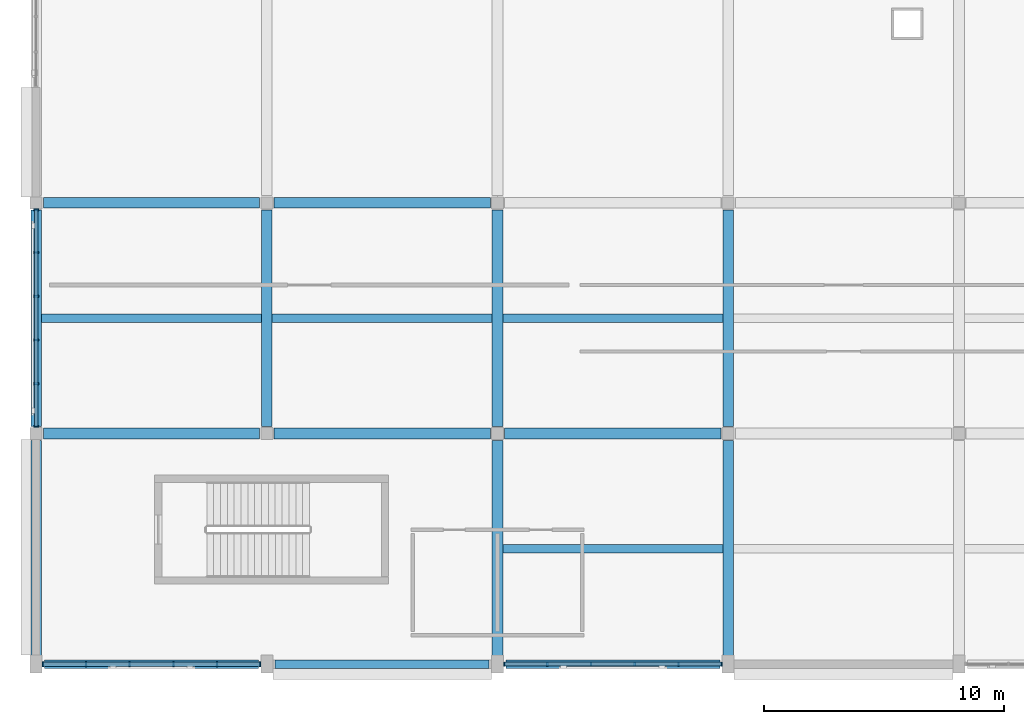
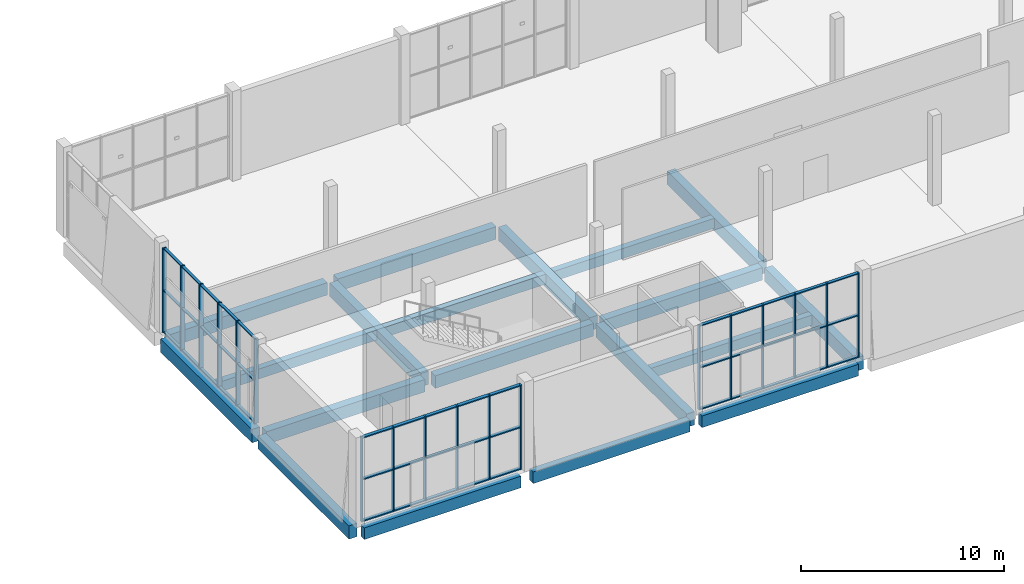
# One storey, part 7 of 83: 27 members, 19 beams, 3 elements without a shape of their own.
"""IFC4 building model written with IfcOpenShell, lengths in metres."""

from ifc_helpers import new_model, si_unit, direction, frame, origin, origin_2d, place, context, subcontext, project, spatial, rectangle, extrude, material, material_profile, profile_set, type_object, element, aggregate, save


model = new_model("IFC4")

# Units and contexts
model_context = context("Model", 3, precision=1e-05, world=origin(), true_north=direction((0.0, 1.0)))
body_context = subcontext(model_context, "Body", "Model", "MODEL_VIEW")
ifc_project = project(units=[si_unit("LENGTHUNIT", "METRE"), si_unit("AREAUNIT", "SQUARE_METRE"), si_unit("VOLUMEUNIT", "CUBIC_METRE"), si_unit("PLANEANGLEUNIT", "RADIAN"), si_unit("MASSUNIT", "GRAM", prefix="KILO")], contexts=[model_context])

# Site, building, storey
site_placement = place(None, origin())
site = spatial("IfcSite", under=ifc_project, at=site_placement, CompositionType="ELEMENT")
building_placement = place(site_placement, origin())
building = spatial("IfcBuilding", under=site, at=building_placement, Name="Shalvenor Court Art Gallery", CompositionType="ELEMENT")
storey_placement = place(building_placement, frame((0.0, 0.0, 6.0)))
storey = spatial("IfcBuildingStorey", under=building, at=storey_placement, Name="L01", CompositionType="ELEMENT", Elevation=6.0)

# Beams
ifc_material_1 = material(Name="Concrete C40/50", Category="concrete")
ifc_material_profile_1 = material_profile(ifc_material_1, rectangle(XDim=0.449951171875, YDim=0.800048828125, at=origin_2d()), Name="RC 450x800")
ifc_profile_set_1 = profile_set([ifc_material_profile_1], Name="Concrete C40/50")
beam_type_1 = type_object("IfcBeamType", Name="B-03", PredefinedType="BEAM", material=ifc_profile_set_1)
beam_1_placement = place(storey_placement, frame((0.0, 0.35009765625, -0.719970703125), z_axis=(0.0, 1.0, 0.0), x_axis=(-1.0, 0.0, 0.0)))
element("IfcBeam", 1, at=beam_1_placement, inside=storey, type_object=beam_type_1, Name="L01 Girder BM-L01-B-03-0357", PredefinedType="BEAM", context=body_context, shape_type="SweptSolid", body=[
    extrude(rectangle(XDim=0.449951171875, YDim=0.800048828125, at=origin_2d()), origin(), (0.0, 0.0, 1.0), 8.949951171875),
])
for number, where, z_axis, x_axis, name in (
    (2, (0.0, 9.89990234375, -0.719970703125), (0.0, 1.0, 0.0), (-1.0, 0.0, 0.0), "L01 Girder BM-L01-B-03-0358"),
    (3, (9.60009765625, 9.89990234375, -0.719970703125), (0.0, 1.0, 0.0), (-1.0, 0.0, 0.0), "L01 Girder BM-L01-B-03-0366"),
):
    element("IfcBeam", number, at=place(storey_placement, frame(where, z_axis=z_axis, x_axis=x_axis)), inside=storey, type_object=beam_type_1, Name=name, PredefinedType="BEAM", context=body_context, shape_type="SweptSolid", body=[
        extrude(rectangle(XDim=0.449951171875, YDim=0.800048828125, at=origin_2d()), origin(), (0.0, 0.0, 1.0), 9.0),
    ])
beam_2_placement = place(storey_placement, frame((19.199951171875, 0.35009765625, -0.719970703125), z_axis=(0.0, 1.0, 0.0), x_axis=(-1.0, 0.0, 0.0)))
element("IfcBeam", 4, at=beam_2_placement, inside=storey, type_object=beam_type_1, Name="L01 Girder BM-L01-B-03-0374", PredefinedType="BEAM", context=body_context, shape_type="SweptSolid", body=[
    extrude(rectangle(XDim=0.449951171875, YDim=0.800048828125, at=origin_2d()), origin(), (0.0, 0.0, 1.0), 8.949951171875),
])
beam_3_placement = place(storey_placement, frame((19.199951171875, 9.89990234375, -0.719970703125), z_axis=(0.0, 1.0, 0.0), x_axis=(-1.0, 0.0, 0.0)))
element("IfcBeam", 5, at=beam_3_placement, inside=storey, type_object=beam_type_1, Name="L01 Girder BM-L01-B-03-0375", PredefinedType="BEAM", context=body_context, shape_type="SweptSolid", body=[
    extrude(rectangle(XDim=0.449951171875, YDim=0.800048828125, at=origin_2d()), origin(), (0.0, 0.0, 1.0), 9.0),
])
beam_4_placement = place(storey_placement, frame((28.800048828125, 0.35009765625, -0.719970703125), z_axis=(0.0, 1.0, 0.0), x_axis=(-1.0, 0.0, 0.0)))
element("IfcBeam", 6, at=beam_4_placement, inside=storey, type_object=beam_type_1, Name="L01 Girder BM-L01-B-03-0379", PredefinedType="BEAM", context=body_context, shape_type="SweptSolid", body=[
    extrude(rectangle(XDim=0.449951171875, YDim=0.800048828125, at=origin_2d()), origin(), (0.0, 0.0, 1.0), 8.949951171875),
])
beam_5_placement = place(storey_placement, frame((28.800048828125, 9.89990234375, -0.719970703125), z_axis=(0.0, 1.0, 0.0), x_axis=(-1.0, 0.0, 0.0)))
element("IfcBeam", 7, at=beam_5_placement, inside=storey, type_object=beam_type_1, Name="L01 Girder BM-L01-B-03-0380", PredefinedType="BEAM", context=body_context, shape_type="SweptSolid", body=[
    extrude(rectangle(XDim=0.449951171875, YDim=0.800048828125, at=origin_2d()), origin(), (0.0, 0.0, 1.0), 9.0),
])
ifc_material_2 = material(Name="Concrete C40/50", Category="concrete")
ifc_material_profile_2 = material_profile(ifc_material_2, rectangle(XDim=0.449951171875, YDim=0.75, at=origin_2d()), Name="RC 450x750")
ifc_profile_set_2 = profile_set([ifc_material_profile_2], Name="Concrete C40/50")
beam_type_2 = type_object("IfcBeamType", Name="B-04", PredefinedType="BEAM", material=ifc_profile_set_2)
for number, where, z_axis, x_axis, name in (
    (8, (0.300048828125, 9.60009765625, -0.695068359375), (1.0, 0.0, 0.0), (0.0, 1.0, 0.0), "L01 Girder BM-L01-B-04-0497"),
    (9, (9.89990234375, 9.60009765625, -0.695068359375), (1.0, 0.0, 0.0), (0.0, 1.0, 0.0), "L01 Girder BM-L01-B-04-0498"),
    (10, (19.5, 9.60009765625, -0.695068359375), (1.0, 0.0, 0.0), (0.0, 1.0, 0.0), "L01 Girder BM-L01-B-04-0499"),
    (11, (0.300048828125, 19.199951171875, -0.695068359375), (1.0, 0.0, 0.0), (0.0, 1.0, 0.0), "L01 Girder BM-L01-B-04-0505"),
    (12, (9.89990234375, 19.199951171875, -0.695068359375), (1.0, 0.0, 0.0), (0.0, 1.0, 0.0), "L01 Girder BM-L01-B-04-0506"),
):
    element("IfcBeam", number, at=place(storey_placement, frame(where, z_axis=z_axis, x_axis=x_axis)), inside=storey, type_object=beam_type_2, Name=name, PredefinedType="BEAM", context=body_context, shape_type="SweptSolid", body=[
        extrude(rectangle(XDim=0.449951171875, YDim=0.75, at=origin_2d()), origin(), (0.0, 0.0, 1.0), 9.0),
    ])

# Curtain wall, members
ifc_material_3 = material(Name="Anodised aluminium and low-iron glass curtain wall", Category="aluminium")
curtain_wall_type_1 = type_object("IfcCurtainWallType", Name="CW-5x2-91-51-121", PredefinedType="USERDEFINED", material=ifc_material_3)
curtain_wall_1_placement = place(storey_placement, origin())
curtain_wall_1 = element("IfcCurtainWall", 13, at=curtain_wall_1_placement, inside=storey, type_object=curtain_wall_type_1, Name="L01 V4 Curtain Wall CW-L01-136", ObjectType="CURTAIN WALL", PredefinedType="USERDEFINED")
ifc_material_4 = material(Name="Anodised aluminium mullion", Category="aluminium")
ifc_material_profile_3 = material_profile(ifc_material_4, rectangle(XDim=0.06494140625, YDim=0.179931640625, at=origin_2d()), Name="CWM-01")
ifc_profile_set_3 = profile_set([ifc_material_profile_3], Name="Anodised aluminium mullion")
member_type_1 = type_object("IfcMemberType", Name="CWM-01", PredefinedType="MULLION", material=ifc_profile_set_3)
member_1_placement = place(storey_placement, frame((28.517578125, 0.0, 0.0), z_axis=(0.0, 0.0, 1.0), x_axis=(-1.0, 0.0, 0.0)))
member_1 = element("IfcMember", 14, at=member_1_placement, type_object=member_type_1, Name="CW-5x2-91-51-121 mullion 1", PredefinedType="MULLION", context=body_context, shape_type="SweptSolid", body=[
    extrude(rectangle(XDim=0.06494140625, YDim=0.179931640625, at=origin_2d()), origin(), (0.0, 0.0, 1.0), 5.080078125),
])
member_2_placement = place(storey_placement, frame((26.72998046875, 0.0, 0.0), z_axis=(0.0, 0.0, 1.0), x_axis=(-1.0, 0.0, 0.0)))
member_2 = element("IfcMember", 15, at=member_2_placement, type_object=member_type_1, Name="CW-5x2-91-51-121 mullion 2", PredefinedType="MULLION", context=body_context, shape_type="SweptSolid", body=[
    extrude(rectangle(XDim=0.06494140625, YDim=0.179931640625, at=origin_2d()), origin(), (0.0, 0.0, 1.0), 5.080078125),
])
member_3_placement = place(storey_placement, frame((24.909912109375, 0.0, 0.0), z_axis=(0.0, 0.0, 1.0), x_axis=(-1.0, 0.0, 0.0)))
member_3 = element("IfcMember", 16, at=member_3_placement, type_object=member_type_1, Name="CW-5x2-91-51-121 mullion 3", PredefinedType="MULLION", context=body_context, shape_type="SweptSolid", body=[
    extrude(rectangle(XDim=0.06494140625, YDim=0.179931640625, at=origin_2d()), origin(), (0.0, 0.0, 1.0), 5.080078125),
])
member_4_placement = place(storey_placement, frame((23.090087890625, 0.0, 0.0), z_axis=(0.0, 0.0, 1.0), x_axis=(-1.0, 0.0, 0.0)))
member_4 = element("IfcMember", 17, at=member_4_placement, type_object=member_type_1, Name="CW-5x2-91-51-121 mullion 4", PredefinedType="MULLION", context=body_context, shape_type="SweptSolid", body=[
    extrude(rectangle(XDim=0.06494140625, YDim=0.179931640625, at=origin_2d()), origin(), (0.0, 0.0, 1.0), 5.080078125),
])
member_5_placement = place(storey_placement, frame((21.27001953125, 0.0, 0.0), z_axis=(0.0, 0.0, 1.0), x_axis=(-1.0, 0.0, 0.0)))
member_5 = element("IfcMember", 18, at=member_5_placement, type_object=member_type_1, Name="CW-5x2-91-51-121 mullion 5", PredefinedType="MULLION", context=body_context, shape_type="SweptSolid", body=[
    extrude(rectangle(XDim=0.06494140625, YDim=0.179931640625, at=origin_2d()), origin(), (0.0, 0.0, 1.0), 5.080078125),
])
member_6_placement = place(storey_placement, frame((19.482421875, 0.0, 0.0), z_axis=(0.0, 0.0, 1.0), x_axis=(-1.0, 0.0, 0.0)))
member_6 = element("IfcMember", 19, at=member_6_placement, type_object=member_type_1, Name="CW-5x2-91-51-121 mullion 6", PredefinedType="MULLION", context=body_context, shape_type="SweptSolid", body=[
    extrude(rectangle(XDim=0.06494140625, YDim=0.179931640625, at=origin_2d()), origin(), (0.0, 0.0, 1.0), 5.080078125),
])

ifc_material_5 = material(Name="Anodised aluminium and low-iron glass curtain wall", Category="aluminium")
curtain_wall_type_2 = type_object("IfcCurtainWallType", Name="CW-5x2-91-51-241", PredefinedType="USERDEFINED", material=ifc_material_5)
curtain_wall_2_placement = place(storey_placement, origin())
curtain_wall_2 = element("IfcCurtainWall", 20, at=curtain_wall_2_placement, inside=storey, type_object=curtain_wall_type_2, Name="L01 V4 Curtain Wall CW-L01-137", ObjectType="CURTAIN WALL", PredefinedType="USERDEFINED")
ifc_material_6 = material(Name="Anodised aluminium mullion", Category="aluminium")
ifc_material_profile_4 = material_profile(ifc_material_6, rectangle(XDim=0.070068359375, YDim=0.199951171875, at=origin_2d()), Name="CWM-02")
ifc_profile_set_4 = profile_set([ifc_material_profile_4], Name="Anodised aluminium mullion")
member_type_2 = type_object("IfcMemberType", Name="CWM-02", PredefinedType="MULLION", material=ifc_profile_set_4)
member_7_placement = place(storey_placement, frame((9.31494140625, 0.0, 0.0), z_axis=(0.0, 0.0, 1.0), x_axis=(-1.0, 0.0, 0.0)))
member_7 = element("IfcMember", 21, at=member_7_placement, type_object=member_type_2, Name="CW-5x2-91-51-241 mullion 1", PredefinedType="MULLION", context=body_context, shape_type="SweptSolid", body=[
    extrude(rectangle(XDim=0.070068359375, YDim=0.199951171875, at=origin_2d()), origin(), (0.0, 0.0, 1.0), 5.080078125),
])
member_8_placement = place(storey_placement, frame((7.530029296875, 0.0, 0.0), z_axis=(0.0, 0.0, 1.0), x_axis=(-1.0, 0.0, 0.0)))
member_8 = element("IfcMember", 22, at=member_8_placement, type_object=member_type_2, Name="CW-5x2-91-51-241 mullion 2", PredefinedType="MULLION", context=body_context, shape_type="SweptSolid", body=[
    extrude(rectangle(XDim=0.070068359375, YDim=0.199951171875, at=origin_2d()), origin(), (0.0, 0.0, 1.0), 5.080078125),
])
member_9_placement = place(storey_placement, frame((5.7099609375, 0.0, 0.0), z_axis=(0.0, 0.0, 1.0), x_axis=(-1.0, 0.0, 0.0)))
member_9 = element("IfcMember", 23, at=member_9_placement, type_object=member_type_2, Name="CW-5x2-91-51-241 mullion 3", PredefinedType="MULLION", context=body_context, shape_type="SweptSolid", body=[
    extrude(rectangle(XDim=0.070068359375, YDim=0.199951171875, at=origin_2d()), origin(), (0.0, 0.0, 1.0), 5.080078125),
])
member_10_placement = place(storey_placement, frame((3.889892578125, 0.0, 0.0), z_axis=(0.0, 0.0, 1.0), x_axis=(-1.0, 0.0, 0.0)))
member_10 = element("IfcMember", 24, at=member_10_placement, type_object=member_type_2, Name="CW-5x2-91-51-241 mullion 4", PredefinedType="MULLION", context=body_context, shape_type="SweptSolid", body=[
    extrude(rectangle(XDim=0.070068359375, YDim=0.199951171875, at=origin_2d()), origin(), (0.0, 0.0, 1.0), 5.080078125),
])
member_11_placement = place(storey_placement, frame((2.070068359375, 0.0, 0.0), z_axis=(0.0, 0.0, 1.0), x_axis=(-1.0, 0.0, 0.0)))
member_11 = element("IfcMember", 25, at=member_11_placement, type_object=member_type_2, Name="CW-5x2-91-51-241 mullion 5", PredefinedType="MULLION", context=body_context, shape_type="SweptSolid", body=[
    extrude(rectangle(XDim=0.070068359375, YDim=0.199951171875, at=origin_2d()), origin(), (0.0, 0.0, 1.0), 5.080078125),
])
member_12_placement = place(storey_placement, frame((0.284912109375, 0.0, 0.0), z_axis=(0.0, 0.0, 1.0), x_axis=(-1.0, 0.0, 0.0)))
member_12 = element("IfcMember", 26, at=member_12_placement, type_object=member_type_2, Name="CW-5x2-91-51-241 mullion 6", PredefinedType="MULLION", context=body_context, shape_type="SweptSolid", body=[
    extrude(rectangle(XDim=0.070068359375, YDim=0.199951171875, at=origin_2d()), origin(), (0.0, 0.0, 1.0), 5.080078125),
])

ifc_material_7 = material(Name="Anodised aluminium and low-iron glass curtain wall", Category="aluminium")
curtain_wall_type_3 = type_object("IfcCurtainWallType", Name="CW-5x2-91-51-411", PredefinedType="USERDEFINED", material=ifc_material_7)
curtain_wall_3_placement = place(storey_placement, origin())
curtain_wall_3 = element("IfcCurtainWall", 27, at=curtain_wall_3_placement, inside=storey, type_object=curtain_wall_type_3, Name="L01 V4 Curtain Wall CW-L01-138", ObjectType="CURTAIN WALL", PredefinedType="USERDEFINED")
ifc_material_8 = material(Name="Anodised aluminium mullion", Category="aluminium")
ifc_material_profile_5 = material_profile(ifc_material_8, rectangle(XDim=0.074951171875, YDim=0.219970703125, at=origin_2d()), Name="CWM-04")
ifc_profile_set_5 = profile_set([ifc_material_profile_5], Name="Anodised aluminium mullion")
member_type_3 = type_object("IfcMemberType", Name="CWM-04", PredefinedType="MULLION", material=ifc_profile_set_5)
member_13_placement = place(storey_placement, frame((0.0, 9.887451171875, 0.0), z_axis=(0.0, 0.0, 1.0), x_axis=(0.0, 1.0, 0.0)))
member_13 = element("IfcMember", 28, at=member_13_placement, type_object=member_type_3, Name="CW-5x2-91-51-411 mullion 1", PredefinedType="MULLION", context=body_context, shape_type="SweptSolid", body=[
    extrude(rectangle(XDim=0.074951171875, YDim=0.219970703125, at=origin_2d()), origin(), (0.0, 0.0, 1.0), 5.080078125),
])
member_14_placement = place(storey_placement, frame((0.0, 11.669921875, 0.0), z_axis=(0.0, 0.0, 1.0), x_axis=(0.0, 1.0, 0.0)))
member_14 = element("IfcMember", 29, at=member_14_placement, type_object=member_type_3, Name="CW-5x2-91-51-411 mullion 2", PredefinedType="MULLION", context=body_context, shape_type="SweptSolid", body=[
    extrude(rectangle(XDim=0.074951171875, YDim=0.219970703125, at=origin_2d()), origin(), (0.0, 0.0, 1.0), 5.080078125),
])
member_15_placement = place(storey_placement, frame((0.0, 13.489990234375, 0.0), z_axis=(0.0, 0.0, 1.0), x_axis=(0.0, 1.0, 0.0)))
member_15 = element("IfcMember", 30, at=member_15_placement, type_object=member_type_3, Name="CW-5x2-91-51-411 mullion 3", PredefinedType="MULLION", context=body_context, shape_type="SweptSolid", body=[
    extrude(rectangle(XDim=0.074951171875, YDim=0.219970703125, at=origin_2d()), origin(), (0.0, 0.0, 1.0), 5.080078125),
])
member_16_placement = place(storey_placement, frame((0.0, 15.31005859375, 0.0), z_axis=(0.0, 0.0, 1.0), x_axis=(0.0, 1.0, 0.0)))
member_16 = element("IfcMember", 31, at=member_16_placement, type_object=member_type_3, Name="CW-5x2-91-51-411 mullion 4", PredefinedType="MULLION", context=body_context, shape_type="SweptSolid", body=[
    extrude(rectangle(XDim=0.074951171875, YDim=0.219970703125, at=origin_2d()), origin(), (0.0, 0.0, 1.0), 5.080078125),
])
member_17_placement = place(storey_placement, frame((0.0, 17.1298828125, 0.0), z_axis=(0.0, 0.0, 1.0), x_axis=(0.0, 1.0, 0.0)))
member_17 = element("IfcMember", 32, at=member_17_placement, type_object=member_type_3, Name="CW-5x2-91-51-411 mullion 5", PredefinedType="MULLION", context=body_context, shape_type="SweptSolid", body=[
    extrude(rectangle(XDim=0.074951171875, YDim=0.219970703125, at=origin_2d()), origin(), (0.0, 0.0, 1.0), 5.080078125),
])
member_18_placement = place(storey_placement, frame((0.0, 18.91259765625, 0.0), z_axis=(0.0, 0.0, 1.0), x_axis=(0.0, 1.0, 0.0)))
member_18 = element("IfcMember", 33, at=member_18_placement, type_object=member_type_3, Name="CW-5x2-91-51-411 mullion 6", PredefinedType="MULLION", context=body_context, shape_type="SweptSolid", body=[
    extrude(rectangle(XDim=0.074951171875, YDim=0.219970703125, at=origin_2d()), origin(), (0.0, 0.0, 1.0), 5.080078125),
])
ifc_material_9 = material(Name="Anodised aluminium transom", Category="aluminium")
ifc_material_profile_6 = material_profile(ifc_material_9, rectangle(XDim=0.14990234375, YDim=0.06005859375, at=origin_2d()), Name="CWT-01")
ifc_profile_set_6 = profile_set([ifc_material_profile_6], Name="Anodised aluminium transom")
member_type_4 = type_object("IfcMemberType", Name="CWT-01", PredefinedType="USERDEFINED", material=ifc_profile_set_6)
member_19_placement = place(storey_placement, frame((0.0, 9.887451171875, 0.030029296875), z_axis=(0.0, 1.0, 0.0), x_axis=(-1.0, 0.0, 0.0)))
member_19 = element("IfcMember", 34, at=member_19_placement, type_object=member_type_4, Name="CW-5x2-91-51-411 transom 1", ObjectType="TRANSOM", PredefinedType="USERDEFINED", context=body_context, shape_type="SweptSolid", body=[
    extrude(rectangle(XDim=0.14990234375, YDim=0.06005859375, at=origin_2d()), origin(), (0.0, 0.0, 1.0), 9.025146484375),
])
member_20_placement = place(storey_placement, frame((0.0, 9.887451171875, 2.5400390625), z_axis=(0.0, 1.0, 0.0), x_axis=(-1.0, 0.0, 0.0)))
member_20 = element("IfcMember", 35, at=member_20_placement, type_object=member_type_4, Name="CW-5x2-91-51-411 transom 2", ObjectType="TRANSOM", PredefinedType="USERDEFINED", context=body_context, shape_type="SweptSolid", body=[
    extrude(rectangle(XDim=0.14990234375, YDim=0.06005859375, at=origin_2d()), origin(), (0.0, 0.0, 1.0), 9.025146484375),
])
member_21_placement = place(storey_placement, frame((0.0, 9.887451171875, 5.050048828125), z_axis=(0.0, 1.0, 0.0), x_axis=(-1.0, 0.0, 0.0)))
member_21 = element("IfcMember", 36, at=member_21_placement, type_object=member_type_4, Name="CW-5x2-91-51-411 transom 3", ObjectType="TRANSOM", PredefinedType="USERDEFINED", context=body_context, shape_type="SweptSolid", body=[
    extrude(rectangle(XDim=0.14990234375, YDim=0.06005859375, at=origin_2d()), origin(), (0.0, 0.0, 1.0), 9.025146484375),
])
aggregate(curtain_wall_3, [member_13, member_14, member_15, member_16, member_17, member_18, member_19, member_20, member_21])

# Member
ifc_material_10 = material(Name="Anodised aluminium transom", Category="aluminium")
ifc_material_profile_7 = material_profile(ifc_material_10, rectangle(XDim=0.169921875, YDim=0.06494140625, at=origin_2d()), Name="CWT-02")
ifc_profile_set_7 = profile_set([ifc_material_profile_7], Name="Anodised aluminium transom")
member_type_5 = type_object("IfcMemberType", Name="CWT-02", PredefinedType="USERDEFINED", material=ifc_profile_set_7)
member_22_placement = place(storey_placement, frame((28.517578125, 0.0, 0.032470703125), z_axis=(-1.0, 0.0, 0.0), x_axis=(0.0, -1.0, 0.0)))
member_22 = element("IfcMember", 37, at=member_22_placement, type_object=member_type_5, Name="CW-5x2-91-51-121 transom 1", ObjectType="TRANSOM", PredefinedType="USERDEFINED", context=body_context, shape_type="SweptSolid", body=[
    extrude(rectangle(XDim=0.169921875, YDim=0.06494140625, at=origin_2d()), origin(), (0.0, 0.0, 1.0), 9.03515625),
])

member_23_placement = place(storey_placement, frame((28.517578125, 0.0, 2.5400390625), z_axis=(-1.0, 0.0, 0.0), x_axis=(0.0, -1.0, 0.0)))
member_23 = element("IfcMember", 38, at=member_23_placement, type_object=member_type_5, Name="CW-5x2-91-51-121 transom 2", ObjectType="TRANSOM", PredefinedType="USERDEFINED", context=body_context, shape_type="SweptSolid", body=[
    extrude(rectangle(XDim=0.169921875, YDim=0.06494140625, at=origin_2d()), origin(), (0.0, 0.0, 1.0), 9.03515625),
])

member_24_placement = place(storey_placement, frame((28.517578125, 0.0, 5.047607421875), z_axis=(-1.0, 0.0, 0.0), x_axis=(0.0, -1.0, 0.0)))
member_24 = element("IfcMember", 39, at=member_24_placement, type_object=member_type_5, Name="CW-5x2-91-51-121 transom 3", ObjectType="TRANSOM", PredefinedType="USERDEFINED", context=body_context, shape_type="SweptSolid", body=[
    extrude(rectangle(XDim=0.169921875, YDim=0.06494140625, at=origin_2d()), origin(), (0.0, 0.0, 1.0), 9.03515625),
])

aggregate(curtain_wall_1, [member_1, member_2, member_3, member_4, member_5, member_6, member_22, member_23, member_24])

ifc_material_11 = material(Name="Anodised aluminium transom", Category="aluminium")
ifc_material_profile_8 = material_profile(ifc_material_11, rectangle(XDim=0.18994140625, YDim=0.070068359375, at=origin_2d()), Name="CWT-04")
ifc_profile_set_8 = profile_set([ifc_material_profile_8], Name="Anodised aluminium transom")
member_type_6 = type_object("IfcMemberType", Name="CWT-04", PredefinedType="USERDEFINED", material=ifc_profile_set_8)
member_25_placement = place(storey_placement, frame((9.31494140625, 0.0, 0.034912109375), z_axis=(-1.0, 0.0, 0.0), x_axis=(0.0, -1.0, 0.0)))
member_25 = element("IfcMember", 40, at=member_25_placement, type_object=member_type_6, Name="CW-5x2-91-51-241 transom 1", ObjectType="TRANSOM", PredefinedType="USERDEFINED", context=body_context, shape_type="SweptSolid", body=[
    extrude(rectangle(XDim=0.18994140625, YDim=0.070068359375, at=origin_2d()), origin(), (0.0, 0.0, 1.0), 9.030029296875),
])

member_26_placement = place(storey_placement, frame((9.31494140625, 0.0, 2.5400390625), z_axis=(-1.0, 0.0, 0.0), x_axis=(0.0, -1.0, 0.0)))
member_26 = element("IfcMember", 41, at=member_26_placement, type_object=member_type_6, Name="CW-5x2-91-51-241 transom 2", ObjectType="TRANSOM", PredefinedType="USERDEFINED", context=body_context, shape_type="SweptSolid", body=[
    extrude(rectangle(XDim=0.18994140625, YDim=0.070068359375, at=origin_2d()), origin(), (0.0, 0.0, 1.0), 9.030029296875),
])

member_27_placement = place(storey_placement, frame((9.31494140625, 0.0, 5.044921875), z_axis=(-1.0, 0.0, 0.0), x_axis=(0.0, -1.0, 0.0)))
member_27 = element("IfcMember", 42, at=member_27_placement, type_object=member_type_6, Name="CW-5x2-91-51-241 transom 3", ObjectType="TRANSOM", PredefinedType="USERDEFINED", context=body_context, shape_type="SweptSolid", body=[
    extrude(rectangle(XDim=0.18994140625, YDim=0.070068359375, at=origin_2d()), origin(), (0.0, 0.0, 1.0), 9.030029296875),
])

aggregate(curtain_wall_2, [member_7, member_8, member_9, member_10, member_11, member_12, member_25, member_26, member_27])

# Beams
ifc_material_12 = material(Name="Concrete C40/50", Category="concrete")
ifc_material_profile_9 = material_profile(ifc_material_12, rectangle(XDim=0.35009765625, YDim=0.60009765625, at=origin_2d()), Name="RC 350x600")
ifc_profile_set_9 = profile_set([ifc_material_profile_9], Name="Concrete C40/50")
beam_type_3 = type_object("IfcBeamType", Name="J-01", PredefinedType="JOIST", material=ifc_profile_set_9)
beam_6_placement = place(storey_placement, frame((0.22509765625, 14.39990234375, -0.6201171875), z_axis=(1.0, 0.0, 0.0), x_axis=(0.0, 1.0, 0.0)))
element("IfcBeam", 43, at=beam_6_placement, inside=storey, type_object=beam_type_3, Name="L01 Secondary Beam JST-L01-J-01-0624", PredefinedType="JOIST", context=body_context, shape_type="SweptSolid", body=[
    extrude(rectangle(XDim=0.35009765625, YDim=0.60009765625, at=origin_2d()), origin(), (0.0, 0.0, 1.0), 9.14990234375),
])
beam_7_placement = place(storey_placement, frame((9.824951171875, 14.39990234375, -0.6201171875), z_axis=(1.0, 0.0, 0.0), x_axis=(0.0, 1.0, 0.0)))
element("IfcBeam", 44, at=beam_7_placement, inside=storey, type_object=beam_type_3, Name="L01 Secondary Beam JST-L01-J-01-0630", PredefinedType="JOIST", context=body_context, shape_type="SweptSolid", body=[
    extrude(rectangle(XDim=0.35009765625, YDim=0.60009765625, at=origin_2d()), origin(), (0.0, 0.0, 1.0), 9.150146484375),
])
for number, where, z_axis, x_axis, name in (
    (45, (19.425048828125, 4.800048828125, -0.6201171875), (1.0, 0.0, 0.0), (0.0, 1.0, 0.0), "L01 Secondary Beam JST-L01-J-01-0632"),
    (46, (19.425048828125, 14.39990234375, -0.6201171875), (1.0, 0.0, 0.0), (0.0, 1.0, 0.0), "L01 Secondary Beam JST-L01-J-01-0633"),
):
    element("IfcBeam", number, at=place(storey_placement, frame(where, z_axis=z_axis, x_axis=x_axis)), inside=storey, type_object=beam_type_3, Name=name, PredefinedType="JOIST", context=body_context, shape_type="SweptSolid", body=[
        extrude(rectangle(XDim=0.35009765625, YDim=0.60009765625, at=origin_2d()), origin(), (0.0, 0.0, 1.0), 9.14990234375),
    ])
ifc_material_13 = material(Name="Concrete C40/50", Category="concrete")
ifc_material_profile_10 = material_profile(ifc_material_13, rectangle(XDim=0.35009765625, YDim=0.699951171875, at=origin_2d()), Name="RC 350x700")
ifc_profile_set_10 = profile_set([ifc_material_profile_10], Name="Concrete C40/50")
beam_type_4 = type_object("IfcBeamType", Name="SP-01", PredefinedType="SPANDREL", material=ifc_profile_set_10)
beam_8_placement = place(storey_placement, frame((0.35009765625, 0.0, -0.669921875), z_axis=(1.0, 0.0, 0.0), x_axis=(0.0, 1.0, 0.0)))
element("IfcBeam", 47, at=beam_8_placement, inside=storey, type_object=beam_type_4, Name="L01 Spandrel Girder BM-L01-SP-01-0487", PredefinedType="SPANDREL", context=body_context, shape_type="SweptSolid", body=[
    extrude(rectangle(XDim=0.35009765625, YDim=0.699951171875, at=origin_2d()), origin(), (0.0, 0.0, 1.0), 8.89990234375),
])
beam_9_placement = place(storey_placement, frame((9.949951171875, 0.0, -0.669921875), z_axis=(1.0, 0.0, 0.0), x_axis=(0.0, 1.0, 0.0)))
element("IfcBeam", 48, at=beam_9_placement, inside=storey, type_object=beam_type_4, Name="L01 Spandrel Girder BM-L01-SP-01-0488", PredefinedType="SPANDREL", context=body_context, shape_type="SweptSolid", body=[
    extrude(rectangle(XDim=0.35009765625, YDim=0.699951171875, at=origin_2d()), origin(), (0.0, 0.0, 1.0), 8.900146484375),
])
beam_10_placement = place(storey_placement, frame((19.550048828125, 0.0, -0.669921875), z_axis=(1.0, 0.0, 0.0), x_axis=(0.0, 1.0, 0.0)))
element("IfcBeam", 49, at=beam_10_placement, inside=storey, type_object=beam_type_4, Name="L01 Spandrel Girder BM-L01-SP-01-0489", PredefinedType="SPANDREL", context=body_context, shape_type="SweptSolid", body=[
    extrude(rectangle(XDim=0.35009765625, YDim=0.699951171875, at=origin_2d()), origin(), (0.0, 0.0, 1.0), 8.89990234375),
])

save(model, "model.ifc")
